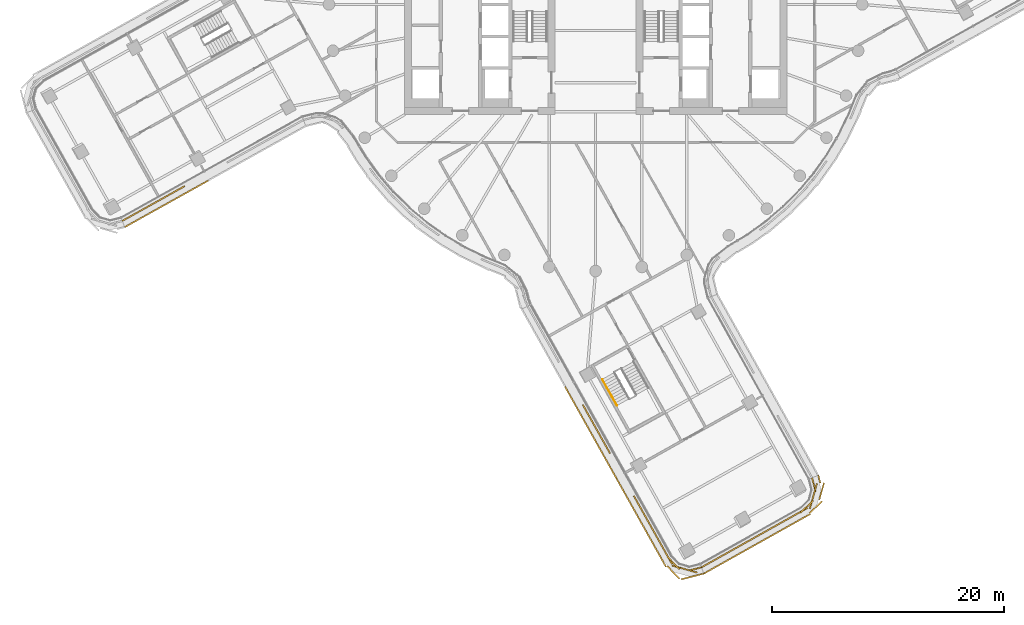
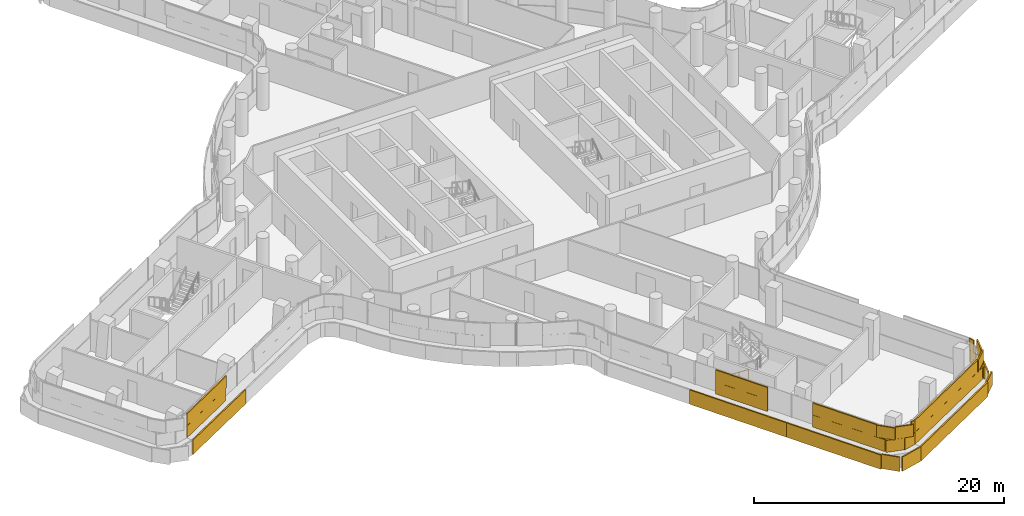
# One storey, part 27 of 34: 4 coverings, 1 railing.
"""IFC4 building model written with IfcOpenShell, lengths in metres."""

import ifcopenshell
import ifcopenshell.guid

model = None  # the IFC model being written
_history = None  # IfcOwnerHistory: only IFC2X3 demands one
_inside = {}  # id of a spatial element -> (the spatial element, [elements in it])
_under = {}  # id of a project, library or spatial element -> (it, [spatial elements below it])
_declared = {}  # id of a project -> (the project, [libraries it declares])
_typed = {}  # id of a type object -> (the type object, [elements of that type])
_made_of = {}  # id of a material, layer set ... -> (it, [elements and type objects made of it])


def new_model(schema):
    """Start an empty IFC model of exactly this schema.

    Asked for "IFC4X3", IfcOpenShell would pick the latest addendum, in which some entities
    have other attributes; the version numbers below select the first issue.
    IFC2X3 requires an IfcOwnerHistory on every rooted entity: one is made here for all.
    """
    global model, _history
    if schema == "IFC4X3":
        model = ifcopenshell.file(schema_version=(4, 3, 0, 0))
    else:
        model = ifcopenshell.file(schema=schema)
    _inside.clear()
    _under.clear()
    _declared.clear()
    _typed.clear()
    _made_of.clear()
    _history = None
    if model.schema == "IFC2X3":
        org = make("IfcOrganization", Name="unknown")
        user = make(
            "IfcPersonAndOrganization",
            ThePerson=make("IfcPerson", FamilyName="unknown"),
            TheOrganization=org,
        )
        app = make(
            "IfcApplication",
            ApplicationDeveloper=org,
            Version="unknown",
            ApplicationFullName="unknown",
            ApplicationIdentifier="unknown",
        )
        _history = make(
            "IfcOwnerHistory",
            OwningUser=user,
            OwningApplication=app,
            ChangeAction="ADDED",
            CreationDate=0,
        )
    return model


def make(cls, **values):
    """One entity of the class cls with the attributes given. An attribute that is None is left unset."""
    return model.create_entity(
        cls, **{name: value for name, value in values.items() if value is not None}
    )


def rooted(cls, **values):
    """An entity with a GlobalId (a new one), such as an element, a storey or a relation."""
    return make(cls, GlobalId=ifcopenshell.guid.new(), OwnerHistory=_history, **values)


def si_unit(unit_type, name, prefix=None):
    """IfcSIUnit, for example si_unit("LENGTHUNIT", "METRE", prefix="MILLI")."""
    return make("IfcSIUnit", UnitType=unit_type, Prefix=prefix, Name=name)


def assignment(units):
    """IfcUnitAssignment: the units of a project."""
    return None if units is None else make("IfcUnitAssignment", Units=units)


def point(xyz):
    """IfcCartesianPoint."""
    return None if xyz is None else make("IfcCartesianPoint", Coordinates=xyz)


def direction(xyz):
    """IfcDirection."""
    return None if xyz is None else make("IfcDirection", DirectionRatios=xyz)


def frame(location, z_axis=None, x_axis=None):
    """IfcAxis2Placement3D, a coordinate frame: its origin and axes. An axis left out is left unset."""
    return make(
        "IfcAxis2Placement3D",
        Location=point(location),
        Axis=direction(z_axis),
        RefDirection=direction(x_axis),
    )


def frame_2d(location, x_axis=None):
    """IfcAxis2Placement2D, a coordinate frame in the plane: its origin and x axis."""
    return make(
        "IfcAxis2Placement2D", Location=point(location), RefDirection=direction(x_axis)
    )


def origin():
    """The frame at (0, 0, 0) with its axes left unset."""
    return frame((0.0, 0.0, 0.0))


def origin_2d():
    """The frame at (0, 0) in the plane with its x axis left unset."""
    return frame_2d((0.0, 0.0))


def place(relative_to, where):
    """IfcLocalPlacement: puts the frame where relative to a parent placement (None: the world)."""
    return make(
        "IfcLocalPlacement", PlacementRelTo=relative_to, RelativePlacement=where
    )


def context(
    kind, dimensions, precision=None, world=None, true_north=None, identifier=None
):
    """IfcGeometricRepresentationContext, for example the 3D "Model" context."""
    return make(
        "IfcGeometricRepresentationContext",
        ContextIdentifier=identifier,
        ContextType=kind,
        CoordinateSpaceDimension=dimensions,
        Precision=precision,
        WorldCoordinateSystem=world,
        TrueNorth=true_north,
    )


def subcontext(parent, identifier, kind, view, scale=None):
    """IfcGeometricRepresentationSubContext, for example "Body" below "Model"."""
    return make(
        "IfcGeometricRepresentationSubContext",
        ContextIdentifier=identifier,
        ContextType=kind,
        ParentContext=parent,
        TargetScale=scale,
        TargetView=view,
    )


def project(units=None, contexts=None):
    """IfcProject with its units and contexts."""
    return rooted(
        "IfcProject",
        Name="project",
        RepresentationContexts=contexts,
        UnitsInContext=assignment(units),
    )


def spatial(cls, under=None, at=None, **own):
    """A site, building, storey or space (cls), placed at a placement, below another one or the project."""
    s = rooted(cls, ObjectPlacement=at, **own)
    if under is not None:
        _under.setdefault(under.id(), (under, []))[1].append(s)
    return s


def profile(cls, at=None, kind="AREA", **sizes):
    """A parametric profile (cls). Its sizes go by their IFC names, for example OverallWidth=200.0."""
    return make(cls, ProfileType=kind, Position=at, **sizes)


def rectangle(**sizes):
    """IfcRectangleProfileDef."""
    return profile("IfcRectangleProfileDef", **sizes)


def circle(**sizes):
    """IfcCircleProfileDef."""
    return profile("IfcCircleProfileDef", **sizes)


def extrude(swept, where, along, depth):
    """IfcExtrudedAreaSolid: the profile swept, set in the frame where, extruded along a direction by depth."""
    return make(
        "IfcExtrudedAreaSolid",
        SweptArea=swept,
        Position=where,
        ExtrudedDirection=direction(along),
        Depth=depth,
    )


def shape(context_of_items, identifier, shape_type, items):
    """IfcShapeRepresentation: the items that make up one representation, for example the "Body"."""
    return make(
        "IfcShapeRepresentation",
        ContextOfItems=context_of_items,
        RepresentationIdentifier=identifier,
        RepresentationType=shape_type,
        Items=items,
    )


def material(Name=None, Category=None):
    """IfcMaterial."""
    return make("IfcMaterial", Name=Name, Category=Category)


def layer(
    of_material, thickness, ventilated=None, Name=None, Category=None, Priority=None
):
    """IfcMaterialLayer: one layer of a wall or slab, of a material (None: an air gap)."""
    return make(
        "IfcMaterialLayer",
        Material=of_material,
        LayerThickness=thickness,
        IsVentilated=ventilated,
        Name=Name,
        Category=Category,
        Priority=Priority,
    )


def layer_set(layers, Name=None):
    """IfcMaterialLayerSet."""
    return make("IfcMaterialLayerSet", MaterialLayers=layers, LayerSetName=Name)


def made_of(thing, what):
    """Note that an element or type object is made of a material, layer set ...; save() writes the relation."""
    if what is not None:
        _made_of.setdefault(what.id(), (what, []))[1].append(thing)
    return thing


def type_object(cls, material=None, **own):
    """A type object (cls), such as IfcWallType, which elements share."""
    return made_of(rooted(cls, **own), material)


def element(
    cls,
    number,
    at=None,
    inside=None,
    cuts=None,
    type_object=None,
    material=None,
    context=None,
    identifier="Body",
    shape_type=None,
    held_by="IfcProductDefinitionShape",
    body=None,
    shapes=None,
    **own,
):
    """One element of the class cls, such as IfcWall. Its Tag is "e" and its number.

    at: its placement. inside: the storey or other place that contains it. cuts: it is an
    opening in that element (IfcRelVoidsElement). A single representation is given by context,
    identifier, shape_type and body (its items); several are given by shapes. held_by: the class
    of the entity that holds the representations. save() writes the other relations.
    """
    e = rooted(cls, Tag="e%d" % number, ObjectPlacement=at, **own)
    if body is not None:
        shapes = [shape(context, identifier, shape_type, body)]
    if shapes is not None:
        e.Representation = make(held_by, Representations=shapes)
    if inside is not None:
        _inside.setdefault(inside.id(), (inside, []))[1].append(e)
    if cuts is not None:
        rooted(
            "IfcRelVoidsElement", RelatingBuildingElement=cuts, RelatedOpeningElement=e
        )
    if type_object is not None:
        _typed.setdefault(type_object.id(), (type_object, []))[1].append(e)
    return made_of(e, material)


def aggregate(whole, parts):
    """IfcRelAggregates: a whole, such as a stair, and the parts it consists of."""
    return rooted("IfcRelAggregates", RelatingObject=whole, RelatedObjects=parts)


def save(model, path):
    """Write the relations noted so far, then the file.

    IfcRelAggregates (storeys below a building ...), IfcRelContainedInSpatialStructure (elements
    in a storey), IfcRelDefinesByType, IfcRelAssociatesMaterial and IfcRelDeclares: one each for
    every whole, place, type object, material and project.
    """
    for whole, parts in _under.values():
        aggregate(whole, parts)
    for where, things in _inside.values():
        rooted(
            "IfcRelContainedInSpatialStructure",
            RelatedElements=things,
            RelatingStructure=where,
        )
    for kind, things in _typed.values():
        rooted("IfcRelDefinesByType", RelatedObjects=things, RelatingType=kind)
    for what, things in _made_of.values():
        rooted("IfcRelAssociatesMaterial", RelatedObjects=things, RelatingMaterial=what)
    for by, libraries in _declared.values():
        rooted("IfcRelDeclares", RelatingContext=by, RelatedDefinitions=libraries)
    model.write(path)


model = new_model("IFC4")

# Units and contexts
model_context = context("Model", 3, precision=1e-05, world=origin(), true_north=direction((0.0, 1.0)))
body_context = subcontext(model_context, "Body", "Model", "MODEL_VIEW")
ifc_project = project(units=[si_unit("LENGTHUNIT", "METRE"), si_unit("AREAUNIT", "SQUARE_METRE"), si_unit("VOLUMEUNIT", "CUBIC_METRE"), si_unit("PLANEANGLEUNIT", "RADIAN"), si_unit("MASSUNIT", "GRAM", prefix="KILO")], contexts=[model_context])

# Site, building, storey
site_placement = place(None, origin())
site = spatial("IfcSite", under=ifc_project, at=site_placement, CompositionType="ELEMENT")
building_placement = place(site_placement, origin())
building = spatial("IfcBuilding", under=site, at=building_placement, Name="Tamarind Cross Interchange Tower", CompositionType="ELEMENT")
storey_placement = place(building_placement, frame((0.0, 0.0, 140.5)))
storey = spatial("IfcBuildingStorey", under=building, at=storey_placement, Name="L34", CompositionType="ELEMENT", Elevation=140.5)

# Railing
ifc_material_1 = material(Name="Stair handrail")
railing_type = type_object("IfcRailingType", Name="Stair handrail", PredefinedType="HANDRAIL", material=ifc_material_1)
railing_placement = place(storey_placement, frame((0.5751953125, -32.33740234375, 0.17041015625)))
element("IfcRailing", 1, at=railing_placement, inside=storey, type_object=railing_type, Name="L34 ST6 stair handrail 1", PredefinedType="HANDRAIL", context=body_context, shape_type="SweptSolid", body=[
    extrude(circle(Radius=0.02392578125, at=origin_2d()), frame((0.0, 0.0, 0.8759765625), z_axis=(0.408672393545, -0.72962628909, 0.548299510325), x_axis=(0.87246437923, 0.488677712788, 0.0)), (0.0, 0.0, 1.0), 3.10888671875),
    extrude(circle(Radius=0.02099609375, at=origin_2d()), origin(), (0.0, 0.0, 1.0), 0.851806640625),
    extrude(circle(Radius=0.02099609375, at=origin_2d()), frame((0.423583984375, -0.756103515625, 0.568115234375)), (0.0, 0.0, 1.0), 0.851806640625),
    extrude(circle(Radius=0.02099609375, at=origin_2d()), frame((0.846923828125, -1.51220703125, 1.136474609375)), (0.0, 0.0, 1.0), 0.851806640625),
    extrude(circle(Radius=0.02099609375, at=origin_2d()), frame((1.2705078125, -2.268310546875, 1.70458984375)), (0.0, 0.0, 1.0), 0.851806640625),
])

# Coverings
ifc_material_2 = material(Name="Terracotta", Category="masonry")
ifc_layer = layer(ifc_material_2, 0.1201171875)
ifc_layer_set = layer_set([ifc_layer], Name="Terracotta")
covering_type = type_object("IfcCoveringType", Name="Terracotta baguette screen unit", PredefinedType="MOLDING", material=ifc_layer_set)
covering_1_placement = place(storey_placement, origin())
element("IfcCovering", 2, at=covering_1_placement, inside=storey, type_object=covering_type, Name="SCR-L34-01-00", PredefinedType="MOLDING", context=body_context, shape_type="SweptSolid", body=[
    extrude(rectangle(XDim=1.510009765625, YDim=0.1201171875, at=origin_2d()), frame((-40.180908203125, -18.311767578125, 1.404052734375), z_axis=(0.0, 0.0, 1.0), x_axis=(0.873449626547, 0.486914520101, 0.0)), (0.0, 0.0, 1.0), 1.1669921875),
    extrude(rectangle(XDim=1.52001953125, YDim=0.1201171875, at=origin_2d()), frame((-38.87060546875, -17.581298828125, 1.404052734375), z_axis=(0.0, 0.0, 1.0), x_axis=(0.873449626547, 0.486914520101, 0.0)), (0.0, 0.0, 1.0), 1.1669921875),
    extrude(rectangle(XDim=1.52001953125, YDim=0.1201171875, at=origin_2d()), frame((-37.560546875, -16.85107421875, 1.404052734375), z_axis=(0.0, 0.0, 1.0), x_axis=(0.873449626547, 0.486914520101, 0.0)), (0.0, 0.0, 1.0), 1.1669921875),
    extrude(rectangle(XDim=1.52001953125, YDim=0.1201171875, at=origin_2d()), frame((-36.250244140625, -16.12060546875, 1.404052734375), z_axis=(0.0, 0.0, 1.0), x_axis=(0.873449626547, 0.486914520101, 0.0)), (0.0, 0.0, 1.0), 1.1669921875),
    extrude(rectangle(XDim=0.760009765625, YDim=0.1201171875, at=origin_2d()), frame((-40.50830078125, -18.494384765625, 2.5791015625), z_axis=(0.0, 0.0, 1.0), x_axis=(0.873449626547, 0.486914520101, 0.0)), (0.0, 0.0, 1.0), 1.1669921875),
    extrude(rectangle(XDim=1.52001953125, YDim=0.1201171875, at=origin_2d()), frame((-39.525634765625, -17.946533203125, 2.5791015625), z_axis=(0.0, 0.0, 1.0), x_axis=(0.873449626547, 0.486914520101, 0.0)), (0.0, 0.0, 1.0), 1.1669921875),
    extrude(rectangle(XDim=1.52001953125, YDim=0.1201171875, at=origin_2d()), frame((-38.215576171875, -17.21630859375, 2.5791015625), z_axis=(0.0, 0.0, 1.0), x_axis=(0.873449626547, 0.486914520101, 0.0)), (0.0, 0.0, 1.0), 1.1669921875),
    extrude(rectangle(XDim=1.52001953125, YDim=0.1201171875, at=origin_2d()), frame((-36.9052734375, -16.48583984375, 2.5791015625), z_axis=(0.0, 0.0, 1.0), x_axis=(0.873449626547, 0.486914520101, 0.0)), (0.0, 0.0, 1.0), 1.1669921875),
    extrude(rectangle(XDim=0.90869140625, YDim=0.1201171875, at=origin_2d()), frame((-35.85791015625, -15.90185546875, 2.5791015625), z_axis=(0.0, 0.0, 1.0), x_axis=(0.873449626547, 0.486914520101, 0.0)), (0.0, 0.0, 1.0), 1.1669921875),
    extrude(rectangle(XDim=1.510009765625, YDim=0.1201171875, at=origin_2d()), frame((-39.96240234375, -18.84716796875, 0.00390625), z_axis=(0.0, 0.0, 1.0), x_axis=(0.873449626547, 0.486914520101, 0.0)), (0.0, 0.0, 1.0), 1.39208984375),
    extrude(rectangle(XDim=1.52001953125, YDim=0.1201171875, at=origin_2d()), frame((-38.65673828125, -18.119140625, 0.00390625), z_axis=(0.0, 0.0, 1.0), x_axis=(0.873449626547, 0.486914520101, 0.0)), (0.0, 0.0, 1.0), 1.39208984375),
    extrude(rectangle(XDim=1.52001953125, YDim=0.1201171875, at=origin_2d()), frame((-37.346435546875, -17.388916015625, 0.00390625), z_axis=(0.0, 0.0, 1.0), x_axis=(0.873449626547, 0.486914520101, 0.0)), (0.0, 0.0, 1.0), 1.39208984375),
    extrude(rectangle(XDim=1.52001953125, YDim=0.1201171875, at=origin_2d()), frame((-36.036376953125, -16.658447265625, 0.00390625), z_axis=(0.0, 0.0, 1.0), x_axis=(0.873449626547, 0.486914520101, 0.0)), (0.0, 0.0, 1.0), 1.39208984375),
    extrude(rectangle(XDim=1.52001953125, YDim=0.1201171875, at=origin_2d()), frame((-34.72607421875, -15.92822265625, 0.00390625), z_axis=(0.0, 0.0, 1.0), x_axis=(0.873449626547, 0.486914520101, 0.0)), (0.0, 0.0, 1.0), 1.39208984375),
    extrude(rectangle(XDim=0.75732421875, YDim=0.1201171875, at=origin_2d()), frame((-33.7490234375, -15.383544921875, 0.00390625), z_axis=(0.0, 0.0, 1.0), x_axis=(0.873449626547, 0.486914520101, 0.0)), (0.0, 0.0, 1.0), 1.39208984375),
])
covering_2_placement = place(storey_placement, origin())
element("IfcCovering", 3, at=covering_2_placement, inside=storey, type_object=covering_type, Name="SCR-L34-03-01", PredefinedType="MOLDING", context=body_context, shape_type="SweptSolid", body=[
    extrude(rectangle(XDim=0.762939453125, YDim=0.1201171875, at=origin_2d()), frame((-0.919677734375, -34.866455078125, 1.404052734375), z_axis=(0.0, 0.0, 1.0), x_axis=(0.488688242939, -0.872458481082, 0.0)), (0.0, 0.0, 1.0), 1.1669921875),
    extrude(rectangle(XDim=1.52001953125, YDim=0.1201171875, at=origin_2d()), frame((-0.369140625, -35.84912109375, 1.404052734375), z_axis=(0.0, 0.0, 1.0), x_axis=(0.488688242939, -0.872458481082, 0.0)), (0.0, 0.0, 1.0), 1.1669921875),
    extrude(rectangle(XDim=1.52001953125, YDim=0.1201171875, at=origin_2d()), frame((0.36376953125, -37.15771484375, 1.404052734375), z_axis=(0.0, 0.0, 1.0), x_axis=(0.488688242939, -0.872458481082, 0.0)), (0.0, 0.0, 1.0), 1.1669921875),
    extrude(rectangle(XDim=1.0634765625, YDim=0.1201171875, at=origin_2d()), frame((0.98779296875, -38.271728515625, 1.404052734375), z_axis=(0.0, 0.0, 1.0), x_axis=(0.488688242939, -0.872458481082, 0.0)), (0.0, 0.0, 1.0), 1.1669921875),
    extrude(rectangle(XDim=1.52001953125, YDim=0.1201171875, at=origin_2d()), frame((-0.735595703125, -35.19482421875, 2.5791015625), z_axis=(0.0, 0.0, 1.0), x_axis=(0.488688242939, -0.872458481082, 0.0)), (0.0, 0.0, 1.0), 1.1669921875),
    extrude(rectangle(XDim=1.52001953125, YDim=0.1201171875, at=origin_2d()), frame((-0.002685546875, -36.50341796875, 2.5791015625), z_axis=(0.0, 0.0, 1.0), x_axis=(0.488688242939, -0.872458481082, 0.0)), (0.0, 0.0, 1.0), 1.1669921875),
    extrude(rectangle(XDim=1.52001953125, YDim=0.1201171875, at=origin_2d()), frame((0.73046875, -37.812255859375, 2.5791015625), z_axis=(0.0, 0.0, 1.0), x_axis=(0.488688242939, -0.872458481082, 0.0)), (0.0, 0.0, 1.0), 1.1669921875),
    extrude(rectangle(XDim=0.3134765625, YDim=0.1201171875, at=origin_2d()), frame((1.171142578125, -38.598876953125, 2.5791015625), z_axis=(0.0, 0.0, 1.0), x_axis=(0.488688242939, -0.872458481082, 0.0)), (0.0, 0.0, 1.0), 1.1669921875),
    extrude(rectangle(XDim=1.328125, YDim=0.1201171875, at=origin_2d()), frame((-2.3076171875, -33.563232421875, 0.00390625), z_axis=(0.0, 0.0, 1.0), x_axis=(0.488688242939, -0.872458481082, 0.0)), (0.0, 0.0, 1.0), 1.39208984375),
    extrude(rectangle(XDim=1.52001953125, YDim=0.1201171875, at=origin_2d()), frame((-1.621337890625, -34.7880859375, 0.00390625), z_axis=(0.0, 0.0, 1.0), x_axis=(0.488688242939, -0.872458481082, 0.0)), (0.0, 0.0, 1.0), 1.39208984375),
    extrude(rectangle(XDim=1.52001953125, YDim=0.1201171875, at=origin_2d()), frame((-0.888427734375, -36.0966796875, 0.00390625), z_axis=(0.0, 0.0, 1.0), x_axis=(0.488688242939, -0.872458481082, 0.0)), (0.0, 0.0, 1.0), 1.39208984375),
    extrude(rectangle(XDim=1.52001953125, YDim=0.1201171875, at=origin_2d()), frame((-0.1552734375, -37.405517578125, 0.00390625), z_axis=(0.0, 0.0, 1.0), x_axis=(0.488688242939, -0.872458481082, 0.0)), (0.0, 0.0, 1.0), 1.39208984375),
    extrude(rectangle(XDim=1.52001953125, YDim=0.1201171875, at=origin_2d()), frame((0.57763671875, -38.714111328125, 0.00390625), z_axis=(0.0, 0.0, 1.0), x_axis=(0.488688242939, -0.872458481082, 0.0)), (0.0, 0.0, 1.0), 1.39208984375),
    extrude(rectangle(XDim=1.52001953125, YDim=0.1201171875, at=origin_2d()), frame((1.310791015625, -40.02294921875, 0.00390625), z_axis=(0.0, 0.0, 1.0), x_axis=(0.488688242939, -0.872458481082, 0.0)), (0.0, 0.0, 1.0), 1.39208984375),
    extrude(rectangle(XDim=0.2392578125, YDim=0.1201171875, at=origin_2d()), frame((1.730712890625, -40.77294921875, 0.00390625), z_axis=(0.0, 0.0, 1.0), x_axis=(0.488688242939, -0.872458481082, 0.0)), (0.0, 0.0, 1.0), 1.39208984375),
])
covering_3_placement = place(storey_placement, origin())
element("IfcCovering", 4, at=covering_3_placement, inside=storey, type_object=covering_type, Name="SCR-L34-03-02", PredefinedType="MOLDING", context=body_context, shape_type="SweptSolid", body=[
    extrude(rectangle(XDim=0.75634765625, YDim=0.1201171875, at=origin_2d()), frame((3.480224609375, -42.72119140625, 1.404052734375), z_axis=(0.0, 0.0, 1.0), x_axis=(0.488688242939, -0.872458481082, 0.0)), (0.0, 0.0, 1.0), 1.1669921875),
    extrude(rectangle(XDim=1.52001953125, YDim=0.1201171875, at=origin_2d()), frame((4.029052734375, -43.701171875, 1.404052734375), z_axis=(0.0, 0.0, 1.0), x_axis=(0.488688242939, -0.872458481082, 0.0)), (0.0, 0.0, 1.0), 1.1669921875),
    extrude(rectangle(XDim=1.52001953125, YDim=0.1201171875, at=origin_2d()), frame((4.761962890625, -45.010009765625, 1.404052734375), z_axis=(0.0, 0.0, 1.0), x_axis=(0.488688242939, -0.872458481082, 0.0)), (0.0, 0.0, 1.0), 1.1669921875),
    extrude(rectangle(XDim=1.52001953125, YDim=0.1201171875, at=origin_2d()), frame((5.4951171875, -46.318603515625, 1.404052734375), z_axis=(0.0, 0.0, 1.0), x_axis=(0.488688242939, -0.872458481082, 0.0)), (0.0, 0.0, 1.0), 1.1669921875),
    extrude(rectangle(XDim=1.52001953125, YDim=0.1201171875, at=origin_2d()), frame((6.22802734375, -47.627197265625, 1.404052734375), z_axis=(0.0, 0.0, 1.0), x_axis=(0.488688242939, -0.872458481082, 0.0)), (0.0, 0.0, 1.0), 1.1669921875),
    extrude(rectangle(XDim=1.52001953125, YDim=0.1201171875, at=origin_2d()), frame((7.313232421875, -48.60595703125, 1.404052734375), z_axis=(0.0, 0.0, 1.0), x_axis=(0.962476078746, -0.271366537809, 0.0)), (0.0, 0.0, 1.0), 1.1669921875),
    extrude(rectangle(XDim=1.144287109375, YDim=0.1201171875, at=origin_2d()), frame((8.58447265625, -48.70263671875, 1.404052734375), z_axis=(0.0, 0.0, 1.0), x_axis=(0.969212003633, 0.246227723894, 0.0)), (0.0, 0.0, 1.0), 1.1669921875),
    extrude(rectangle(XDim=1.50634765625, YDim=0.1201171875, at=origin_2d()), frame((3.663330078125, -43.04833984375, 2.5791015625), z_axis=(0.0, 0.0, 1.0), x_axis=(0.488688242939, -0.872458481082, 0.0)), (0.0, 0.0, 1.0), 1.1669921875),
    extrude(rectangle(XDim=1.52001953125, YDim=0.1201171875, at=origin_2d()), frame((4.3955078125, -44.35546875, 2.5791015625), z_axis=(0.0, 0.0, 1.0), x_axis=(0.488688242939, -0.872458481082, 0.0)), (0.0, 0.0, 1.0), 1.1669921875),
    extrude(rectangle(XDim=1.52001953125, YDim=0.1201171875, at=origin_2d()), frame((5.128662109375, -45.664306640625, 2.5791015625), z_axis=(0.0, 0.0, 1.0), x_axis=(0.488688242939, -0.872458481082, 0.0)), (0.0, 0.0, 1.0), 1.1669921875),
    extrude(rectangle(XDim=1.52001953125, YDim=0.1201171875, at=origin_2d()), frame((5.861572265625, -46.972900390625, 2.5791015625), z_axis=(0.0, 0.0, 1.0), x_axis=(0.488688242939, -0.872458481082, 0.0)), (0.0, 0.0, 1.0), 1.1669921875),
    extrude(rectangle(XDim=1.52001953125, YDim=0.1201171875, at=origin_2d()), frame((6.718505859375, -48.189208984375, 2.5791015625), z_axis=(0.0, 0.0, 1.0), x_axis=(0.697845465824, -0.716248354852, 0.0)), (0.0, 0.0, 1.0), 1.1669921875),
    extrude(rectangle(XDim=1.52001953125, YDim=0.1201171875, at=origin_2d()), frame((8.03515625, -48.8095703125, 2.5791015625), z_axis=(0.0, 0.0, 1.0), x_axis=(0.962476078746, -0.271366537809, 0.0)), (0.0, 0.0, 1.0), 1.1669921875),
    extrude(rectangle(XDim=0.394287109375, YDim=0.1201171875, at=origin_2d()), frame((8.947998046875, -48.6103515625, 2.5791015625), z_axis=(0.0, 0.0, 1.0), x_axis=(0.969212003633, 0.246227723894, 0.0)), (0.0, 0.0, 1.0), 1.1669921875),
    extrude(rectangle(XDim=1.28076171875, YDim=0.1201171875, at=origin_2d()), frame((2.102294921875, -41.43603515625, 0.00390625), z_axis=(0.0, 0.0, 1.0), x_axis=(0.488688242939, -0.872458481082, 0.0)), (0.0, 0.0, 1.0), 1.39208984375),
    extrude(rectangle(XDim=1.52001953125, YDim=0.1201171875, at=origin_2d()), frame((2.77685546875, -42.64013671875, 0.00390625), z_axis=(0.0, 0.0, 1.0), x_axis=(0.488688242939, -0.872458481082, 0.0)), (0.0, 0.0, 1.0), 1.39208984375),
    extrude(rectangle(XDim=1.52001953125, YDim=0.1201171875, at=origin_2d()), frame((3.509765625, -43.948974609375, 0.00390625), z_axis=(0.0, 0.0, 1.0), x_axis=(0.488688242939, -0.872458481082, 0.0)), (0.0, 0.0, 1.0), 1.39208984375),
    extrude(rectangle(XDim=1.52001953125, YDim=0.1201171875, at=origin_2d()), frame((4.242919921875, -45.257568359375, 0.00390625), z_axis=(0.0, 0.0, 1.0), x_axis=(0.488688242939, -0.872458481082, 0.0)), (0.0, 0.0, 1.0), 1.39208984375),
    extrude(rectangle(XDim=1.52001953125, YDim=0.1201171875, at=origin_2d()), frame((4.975830078125, -46.56640625, 0.00390625), z_axis=(0.0, 0.0, 1.0), x_axis=(0.488688242939, -0.872458481082, 0.0)), (0.0, 0.0, 1.0), 1.39208984375),
    extrude(rectangle(XDim=1.52001953125, YDim=0.1201171875, at=origin_2d()), frame((5.708984375, -47.875, 0.00390625), z_axis=(0.0, 0.0, 1.0), x_axis=(0.488688242939, -0.872458481082, 0.0)), (0.0, 0.0, 1.0), 1.39208984375),
    extrude(rectangle(XDim=1.52001953125, YDim=0.1201171875, at=origin_2d()), frame((6.698974609375, -48.99169921875, 0.00390625), z_axis=(0.0, 0.0, 1.0), x_axis=(0.697845465824, -0.716248354852, 0.0)), (0.0, 0.0, 1.0), 1.39208984375),
    extrude(rectangle(XDim=1.52001953125, YDim=0.1201171875, at=origin_2d()), frame((8.123779296875, -49.411865234375, 0.00390625), z_axis=(0.0, 0.0, 1.0), x_axis=(0.969212003633, 0.246227723894, 0.0)), (0.0, 0.0, 1.0), 1.39208984375),
    extrude(rectangle(XDim=0.52392578125, YDim=0.1201171875, at=origin_2d()), frame((9.094970703125, -49.1650390625, 0.00390625), z_axis=(0.0, 0.0, 1.0), x_axis=(0.969212003633, 0.246227723894, 0.0)), (0.0, 0.0, 1.0), 1.39208984375),
])
covering_4_placement = place(storey_placement, origin())
element("IfcCovering", 5, at=covering_4_placement, inside=storey, type_object=covering_type, Name="SCR-L34-04-00", PredefinedType="MOLDING", context=body_context, shape_type="SweptSolid", body=[
    extrude(rectangle(XDim=1.510009765625, YDim=0.1201171875, at=origin_2d()), frame((9.78857421875, -48.196533203125, 1.404052734375), z_axis=(0.0, 0.0, 1.0), x_axis=(0.872458481082, 0.488688242939, 0.0)), (0.0, 0.0, 1.0), 1.1669921875),
    extrude(rectangle(XDim=1.52001953125, YDim=0.1201171875, at=origin_2d()), frame((11.09716796875, -47.46337890625, 1.404052734375), z_axis=(0.0, 0.0, 1.0), x_axis=(0.872458481082, 0.488688242939, 0.0)), (0.0, 0.0, 1.0), 1.1669921875),
    extrude(rectangle(XDim=1.52001953125, YDim=0.1201171875, at=origin_2d()), frame((12.40576171875, -46.73046875, 1.404052734375), z_axis=(0.0, 0.0, 1.0), x_axis=(0.872458481082, 0.488688242939, 0.0)), (0.0, 0.0, 1.0), 1.1669921875),
    extrude(rectangle(XDim=1.52001953125, YDim=0.1201171875, at=origin_2d()), frame((13.714599609375, -45.997314453125, 1.404052734375), z_axis=(0.0, 0.0, 1.0), x_axis=(0.872458481082, 0.488688242939, 0.0)), (0.0, 0.0, 1.0), 1.1669921875),
    extrude(rectangle(XDim=1.52001953125, YDim=0.1201171875, at=origin_2d()), frame((15.023193359375, -45.264404296875, 1.404052734375), z_axis=(0.0, 0.0, 1.0), x_axis=(0.872458481082, 0.488688242939, 0.0)), (0.0, 0.0, 1.0), 1.1669921875),
    extrude(rectangle(XDim=1.52001953125, YDim=0.1201171875, at=origin_2d()), frame((16.331787109375, -44.53125, 1.404052734375), z_axis=(0.0, 0.0, 1.0), x_axis=(0.872458481082, 0.488688242939, 0.0)), (0.0, 0.0, 1.0), 1.1669921875),
    extrude(rectangle(XDim=1.52001953125, YDim=0.1201171875, at=origin_2d()), frame((17.640625, -43.79833984375, 1.404052734375), z_axis=(0.0, 0.0, 1.0), x_axis=(0.872458481082, 0.488688242939, 0.0)), (0.0, 0.0, 1.0), 1.1669921875),
    extrude(rectangle(XDim=1.52001953125, YDim=0.1201171875, at=origin_2d()), frame((18.688720703125, -42.767578125, 1.404052734375), z_axis=(0.0, 0.0, 1.0), x_axis=(0.271366537809, 0.962476078746, 0.0)), (0.0, 0.0, 1.0), 1.1669921875),
    extrude(rectangle(XDim=1.259521484375, YDim=0.1201171875, at=origin_2d()), frame((18.830810546875, -41.44140625, 1.404052734375), z_axis=(0.0, 0.0, 1.0), x_axis=(-0.246227723894, 0.969212003633, 0.0)), (0.0, 0.0, 1.0), 1.1669921875),
    extrude(rectangle(XDim=0.760009765625, YDim=0.1201171875, at=origin_2d()), frame((9.461181640625, -48.379638671875, 2.5791015625), z_axis=(0.0, 0.0, 1.0), x_axis=(0.872458481082, 0.488688242939, 0.0)), (0.0, 0.0, 1.0), 1.1669921875),
    extrude(rectangle(XDim=1.52001953125, YDim=0.1201171875, at=origin_2d()), frame((10.44287109375, -47.829833984375, 2.5791015625), z_axis=(0.0, 0.0, 1.0), x_axis=(0.872458481082, 0.488688242939, 0.0)), (0.0, 0.0, 1.0), 1.1669921875),
    extrude(rectangle(XDim=1.52001953125, YDim=0.1201171875, at=origin_2d()), frame((11.75146484375, -47.096923828125, 2.5791015625), z_axis=(0.0, 0.0, 1.0), x_axis=(0.872458481082, 0.488688242939, 0.0)), (0.0, 0.0, 1.0), 1.1669921875),
    extrude(rectangle(XDim=1.52001953125, YDim=0.1201171875, at=origin_2d()), frame((13.060302734375, -46.36376953125, 2.5791015625), z_axis=(0.0, 0.0, 1.0), x_axis=(0.872458481082, 0.488688242939, 0.0)), (0.0, 0.0, 1.0), 1.1669921875),
    extrude(rectangle(XDim=1.52001953125, YDim=0.1201171875, at=origin_2d()), frame((14.368896484375, -45.630859375, 2.5791015625), z_axis=(0.0, 0.0, 1.0), x_axis=(0.872458481082, 0.488688242939, 0.0)), (0.0, 0.0, 1.0), 1.1669921875),
    extrude(rectangle(XDim=1.52001953125, YDim=0.1201171875, at=origin_2d()), frame((15.677490234375, -44.897705078125, 2.5791015625), z_axis=(0.0, 0.0, 1.0), x_axis=(0.872458481082, 0.488688242939, 0.0)), (0.0, 0.0, 1.0), 1.1669921875),
    extrude(rectangle(XDim=1.52001953125, YDim=0.1201171875, at=origin_2d()), frame((16.986328125, -44.164794921875, 2.5791015625), z_axis=(0.0, 0.0, 1.0), x_axis=(0.872458481082, 0.488688242939, 0.0)), (0.0, 0.0, 1.0), 1.1669921875),
    extrude(rectangle(XDim=1.52001953125, YDim=0.1201171875, at=origin_2d()), frame((18.220458984375, -43.33203125, 2.5791015625), z_axis=(0.0, 0.0, 1.0), x_axis=(0.716248354852, 0.697845465824, 0.0)), (0.0, 0.0, 1.0), 1.1669921875),
    extrude(rectangle(XDim=1.52001953125, YDim=0.1201171875, at=origin_2d()), frame((18.892333984375, -42.0458984375, 2.5791015625), z_axis=(0.0, 0.0, 1.0), x_axis=(0.271366537809, 0.962476078746, 0.0)), (0.0, 0.0, 1.0), 1.1669921875),
    extrude(rectangle(XDim=0.509521484375, YDim=0.1201171875, at=origin_2d()), frame((18.738525390625, -41.077880859375, 2.5791015625), z_axis=(0.0, 0.0, 1.0), x_axis=(-0.246227723894, 0.969212003633, 0.0)), (0.0, 0.0, 1.0), 1.1669921875),
    extrude(rectangle(XDim=1.510009765625, YDim=0.1201171875, at=origin_2d()), frame((10.00732421875, -48.731689453125, 0.00390625), z_axis=(0.0, 0.0, 1.0), x_axis=(0.872458481082, 0.488688242939, 0.0)), (0.0, 0.0, 1.0), 1.39208984375),
    extrude(rectangle(XDim=1.52001953125, YDim=0.1201171875, at=origin_2d()), frame((11.311767578125, -48.001220703125, 0.00390625), z_axis=(0.0, 0.0, 1.0), x_axis=(0.872458481082, 0.488688242939, 0.0)), (0.0, 0.0, 1.0), 1.39208984375),
    extrude(rectangle(XDim=1.52001953125, YDim=0.1201171875, at=origin_2d()), frame((12.620361328125, -47.26806640625, 0.00390625), z_axis=(0.0, 0.0, 1.0), x_axis=(0.872458481082, 0.488688242939, 0.0)), (0.0, 0.0, 1.0), 1.39208984375),
    extrude(rectangle(XDim=1.52001953125, YDim=0.1201171875, at=origin_2d()), frame((13.92919921875, -46.53515625, 0.00390625), z_axis=(0.0, 0.0, 1.0), x_axis=(0.872458481082, 0.488688242939, 0.0)), (0.0, 0.0, 1.0), 1.39208984375),
    extrude(rectangle(XDim=1.52001953125, YDim=0.1201171875, at=origin_2d()), frame((15.23779296875, -45.802001953125, 0.00390625), z_axis=(0.0, 0.0, 1.0), x_axis=(0.872458481082, 0.488688242939, 0.0)), (0.0, 0.0, 1.0), 1.39208984375),
    extrude(rectangle(XDim=1.52001953125, YDim=0.1201171875, at=origin_2d()), frame((16.54638671875, -45.069091796875, 0.00390625), z_axis=(0.0, 0.0, 1.0), x_axis=(0.872458481082, 0.488688242939, 0.0)), (0.0, 0.0, 1.0), 1.39208984375),
    extrude(rectangle(XDim=1.52001953125, YDim=0.1201171875, at=origin_2d()), frame((17.855224609375, -44.3359375, 0.00390625), z_axis=(0.0, 0.0, 1.0), x_axis=(0.872458481082, 0.488688242939, 0.0)), (0.0, 0.0, 1.0), 1.39208984375),
    extrude(rectangle(XDim=1.52001953125, YDim=0.1201171875, at=origin_2d()), frame((18.995849609375, -43.3779296875, 0.00390625), z_axis=(0.0, 0.0, 1.0), x_axis=(0.716248354852, 0.697845465824, 0.0)), (0.0, 0.0, 1.0), 1.39208984375),
    extrude(rectangle(XDim=1.52001953125, YDim=0.1201171875, at=origin_2d()), frame((19.503173828125, -41.993896484375, 0.00390625), z_axis=(0.0, 0.0, 1.0), x_axis=(0.271366537809, 0.962476078746, 0.0)), (0.0, 0.0, 1.0), 1.39208984375),
    extrude(rectangle(XDim=0.676513671875, YDim=0.1201171875, at=origin_2d()), frame((19.298095703125, -40.94970703125, 0.00390625), z_axis=(0.0, 0.0, 1.0), x_axis=(-0.246227723894, 0.969212003633, 0.0)), (0.0, 0.0, 1.0), 1.39208984375),
])

save(model, "model.ifc")
